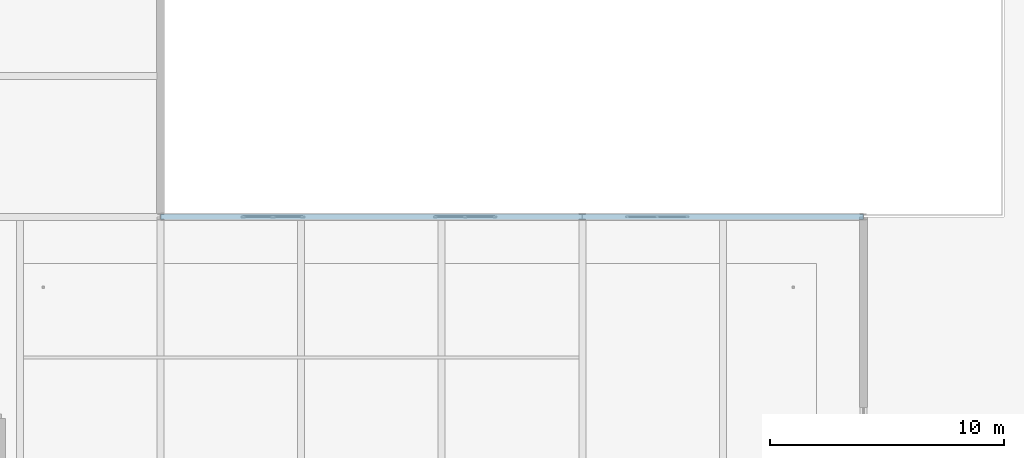
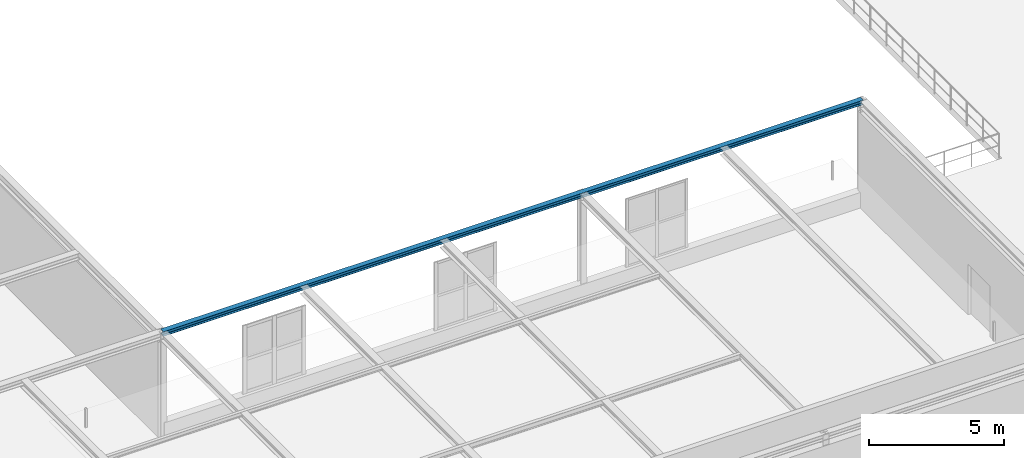
# One storey, part 33 of 97: 1 beam.
"""IFC4 building model written with IfcOpenShell, lengths in metres."""

import ifcopenshell
import ifcopenshell.guid

model = None  # the IFC model being written
_history = None  # IfcOwnerHistory: only IFC2X3 demands one
_inside = {}  # id of a spatial element -> (the spatial element, [elements in it])
_under = {}  # id of a project, library or spatial element -> (it, [spatial elements below it])
_declared = {}  # id of a project -> (the project, [libraries it declares])
_typed = {}  # id of a type object -> (the type object, [elements of that type])
_made_of = {}  # id of a material, layer set ... -> (it, [elements and type objects made of it])


def new_model(schema):
    """Start an empty IFC model of exactly this schema.

    Asked for "IFC4X3", IfcOpenShell would pick the latest addendum, in which some entities
    have other attributes; the version numbers below select the first issue.
    IFC2X3 requires an IfcOwnerHistory on every rooted entity: one is made here for all.
    """
    global model, _history
    if schema == "IFC4X3":
        model = ifcopenshell.file(schema_version=(4, 3, 0, 0))
    else:
        model = ifcopenshell.file(schema=schema)
    _inside.clear()
    _under.clear()
    _declared.clear()
    _typed.clear()
    _made_of.clear()
    _history = None
    if model.schema == "IFC2X3":
        org = make("IfcOrganization", Name="unknown")
        user = make(
            "IfcPersonAndOrganization",
            ThePerson=make("IfcPerson", FamilyName="unknown"),
            TheOrganization=org,
        )
        app = make(
            "IfcApplication",
            ApplicationDeveloper=org,
            Version="unknown",
            ApplicationFullName="unknown",
            ApplicationIdentifier="unknown",
        )
        _history = make(
            "IfcOwnerHistory",
            OwningUser=user,
            OwningApplication=app,
            ChangeAction="ADDED",
            CreationDate=0,
        )
    return model


def make(cls, **values):
    """One entity of the class cls with the attributes given. An attribute that is None is left unset."""
    return model.create_entity(
        cls, **{name: value for name, value in values.items() if value is not None}
    )


def rooted(cls, **values):
    """An entity with a GlobalId (a new one), such as an element, a storey or a relation."""
    return make(cls, GlobalId=ifcopenshell.guid.new(), OwnerHistory=_history, **values)


def si_unit(unit_type, name, prefix=None):
    """IfcSIUnit, for example si_unit("LENGTHUNIT", "METRE", prefix="MILLI")."""
    return make("IfcSIUnit", UnitType=unit_type, Prefix=prefix, Name=name)


def derived_unit(unit_type, elements):
    """IfcDerivedUnit: a product of units, each with its exponent."""
    return make(
        "IfcDerivedUnit",
        Elements=[
            make("IfcDerivedUnitElement", Unit=unit, Exponent=power)
            for unit, power in elements
        ],
        UnitType=unit_type,
    )


def assignment(units):
    """IfcUnitAssignment: the units of a project."""
    return None if units is None else make("IfcUnitAssignment", Units=units)


def point(xyz):
    """IfcCartesianPoint."""
    return None if xyz is None else make("IfcCartesianPoint", Coordinates=xyz)


def direction(xyz):
    """IfcDirection."""
    return None if xyz is None else make("IfcDirection", DirectionRatios=xyz)


def frame(location, z_axis=None, x_axis=None):
    """IfcAxis2Placement3D, a coordinate frame: its origin and axes. An axis left out is left unset."""
    return make(
        "IfcAxis2Placement3D",
        Location=point(location),
        Axis=direction(z_axis),
        RefDirection=direction(x_axis),
    )


def frame_2d(location, x_axis=None):
    """IfcAxis2Placement2D, a coordinate frame in the plane: its origin and x axis."""
    return make(
        "IfcAxis2Placement2D", Location=point(location), RefDirection=direction(x_axis)
    )


def origin():
    """The frame at (0, 0, 0) with its axes left unset."""
    return frame((0.0, 0.0, 0.0))


def origin_2d():
    """The frame at (0, 0) in the plane with its x axis left unset."""
    return frame_2d((0.0, 0.0))


def place(relative_to, where):
    """IfcLocalPlacement: puts the frame where relative to a parent placement (None: the world)."""
    return make(
        "IfcLocalPlacement", PlacementRelTo=relative_to, RelativePlacement=where
    )


def context(
    kind, dimensions, precision=None, world=None, true_north=None, identifier=None
):
    """IfcGeometricRepresentationContext, for example the 3D "Model" context."""
    return make(
        "IfcGeometricRepresentationContext",
        ContextIdentifier=identifier,
        ContextType=kind,
        CoordinateSpaceDimension=dimensions,
        Precision=precision,
        WorldCoordinateSystem=world,
        TrueNorth=true_north,
    )


def subcontext(parent, identifier, kind, view, scale=None):
    """IfcGeometricRepresentationSubContext, for example "Body" below "Model"."""
    return make(
        "IfcGeometricRepresentationSubContext",
        ContextIdentifier=identifier,
        ContextType=kind,
        ParentContext=parent,
        TargetScale=scale,
        TargetView=view,
    )


def project(units=None, contexts=None):
    """IfcProject with its units and contexts."""
    return rooted(
        "IfcProject",
        Name="project",
        RepresentationContexts=contexts,
        UnitsInContext=assignment(units),
    )


def spatial(cls, under=None, at=None, **own):
    """A site, building, storey or space (cls), placed at a placement, below another one or the project."""
    s = rooted(cls, ObjectPlacement=at, **own)
    if under is not None:
        _under.setdefault(under.id(), (under, []))[1].append(s)
    return s


def profile(cls, at=None, kind="AREA", **sizes):
    """A parametric profile (cls). Its sizes go by their IFC names, for example OverallWidth=200.0."""
    return make(cls, ProfileType=kind, Position=at, **sizes)


def i_section(**sizes):
    """IfcIShapeProfileDef."""
    return profile("IfcIShapeProfileDef", **sizes)


def extrude(swept, where, along, depth):
    """IfcExtrudedAreaSolid: the profile swept, set in the frame where, extruded along a direction by depth."""
    return make(
        "IfcExtrudedAreaSolid",
        SweptArea=swept,
        Position=where,
        ExtrudedDirection=direction(along),
        Depth=depth,
    )


def shape(context_of_items, identifier, shape_type, items):
    """IfcShapeRepresentation: the items that make up one representation, for example the "Body"."""
    return make(
        "IfcShapeRepresentation",
        ContextOfItems=context_of_items,
        RepresentationIdentifier=identifier,
        RepresentationType=shape_type,
        Items=items,
    )


def material(Name=None, Category=None):
    """IfcMaterial."""
    return make("IfcMaterial", Name=Name, Category=Category)


def material_profile(
    of_material, cross_section, Name=None, Category=None, Priority=None
):
    """IfcMaterialProfile: a cross section and its material."""
    return make(
        "IfcMaterialProfile",
        Name=Name,
        Material=of_material,
        Profile=cross_section,
        Priority=Priority,
        Category=Category,
    )


def profile_set(profiles, Name=None, composite=None):
    """IfcMaterialProfileSet."""
    return make(
        "IfcMaterialProfileSet",
        Name=Name,
        MaterialProfiles=profiles,
        CompositeProfile=composite,
    )


def made_of(thing, what):
    """Note that an element or type object is made of a material, layer set ...; save() writes the relation."""
    if what is not None:
        _made_of.setdefault(what.id(), (what, []))[1].append(thing)
    return thing


def type_object(cls, material=None, **own):
    """A type object (cls), such as IfcWallType, which elements share."""
    return made_of(rooted(cls, **own), material)


def element(
    cls,
    number,
    at=None,
    inside=None,
    cuts=None,
    type_object=None,
    material=None,
    context=None,
    identifier="Body",
    shape_type=None,
    held_by="IfcProductDefinitionShape",
    body=None,
    shapes=None,
    **own,
):
    """One element of the class cls, such as IfcWall. Its Tag is "e" and its number.

    at: its placement. inside: the storey or other place that contains it. cuts: it is an
    opening in that element (IfcRelVoidsElement). A single representation is given by context,
    identifier, shape_type and body (its items); several are given by shapes. held_by: the class
    of the entity that holds the representations. save() writes the other relations.
    """
    e = rooted(cls, Tag="e%d" % number, ObjectPlacement=at, **own)
    if body is not None:
        shapes = [shape(context, identifier, shape_type, body)]
    if shapes is not None:
        e.Representation = make(held_by, Representations=shapes)
    if inside is not None:
        _inside.setdefault(inside.id(), (inside, []))[1].append(e)
    if cuts is not None:
        rooted(
            "IfcRelVoidsElement", RelatingBuildingElement=cuts, RelatedOpeningElement=e
        )
    if type_object is not None:
        _typed.setdefault(type_object.id(), (type_object, []))[1].append(e)
    return made_of(e, material)


def aggregate(whole, parts):
    """IfcRelAggregates: a whole, such as a stair, and the parts it consists of."""
    return rooted("IfcRelAggregates", RelatingObject=whole, RelatedObjects=parts)


def save(model, path):
    """Write the relations noted so far, then the file.

    IfcRelAggregates (storeys below a building ...), IfcRelContainedInSpatialStructure (elements
    in a storey), IfcRelDefinesByType, IfcRelAssociatesMaterial and IfcRelDeclares: one each for
    every whole, place, type object, material and project.
    """
    for whole, parts in _under.values():
        aggregate(whole, parts)
    for where, things in _inside.values():
        rooted(
            "IfcRelContainedInSpatialStructure",
            RelatedElements=things,
            RelatingStructure=where,
        )
    for kind, things in _typed.values():
        rooted("IfcRelDefinesByType", RelatedObjects=things, RelatingType=kind)
    for what, things in _made_of.values():
        rooted("IfcRelAssociatesMaterial", RelatedObjects=things, RelatingMaterial=what)
    for by, libraries in _declared.values():
        rooted("IfcRelDeclares", RelatingContext=by, RelatedDefinitions=libraries)
    model.write(path)


model = new_model("IFC4")

# Units and contexts
model_context = context("Model", 3, precision=1e-05, world=origin(), true_north=direction((0.0, 1.0)))
body_context = subcontext(model_context, "Body", "Model", "MODEL_VIEW")
ifc_project = project(units=[si_unit("LENGTHUNIT", "METRE"), si_unit("AREAUNIT", "SQUARE_METRE"), si_unit("VOLUMEUNIT", "CUBIC_METRE"), si_unit("PLANEANGLEUNIT", "RADIAN"), si_unit("MASSUNIT", "GRAM", prefix="KILO"), derived_unit("THERMALTRANSMITTANCEUNIT", [(si_unit("POWERUNIT", "WATT"), 1), (si_unit("LENGTHUNIT", "METRE"), -2), (si_unit("THERMODYNAMICTEMPERATUREUNIT", "KELVIN"), -1)])], contexts=[model_context])

# Site, building, storey
site_placement = place(None, origin())
site = spatial("IfcSite", under=ifc_project, at=site_placement, CompositionType="ELEMENT")
building_placement = place(site_placement, origin())
building = spatial("IfcBuilding", under=site, at=building_placement, Name="Almenara Railside Exhibition Hall", CompositionType="ELEMENT")
storey_placement = place(building_placement, frame((0.0, 0.0, 10.800048828125)))
storey = spatial("IfcBuildingStorey", under=building, at=storey_placement, Name="L02", CompositionType="ELEMENT", Elevation=10.800048828125)

# Beam
ifc_material = material(Name="Structural steel S355JR", Category="steel")
ifc_material_profile = material_profile(ifc_material, i_section(OverallWidth=0.219970703125, OverallDepth=0.2099609375, WebThickness=0.007080078125, FlangeThickness=0.010986328125, FilletRadius=0.01806640625, at=origin_2d()), Name="HEA 220")
ifc_profile_set = profile_set([ifc_material_profile], Name="Structural steel S355JR")
beam_type = type_object("IfcBeamType", Name="Steel Terrace Tie Beam HEA 220 S355JR", PredefinedType="BEAM", material=ifc_profile_set)
beam_placement = place(storey_placement, frame((84.0, 54.0, 4.69091796875), z_axis=(1.0, 0.0, 0.0), x_axis=(0.0, 1.0, 0.0)))
element("IfcBeam", 1, at=beam_placement, inside=storey, type_object=beam_type, Name="Beam 0844", PredefinedType="BEAM", context=body_context, shape_type="SweptSolid", body=[
    extrude(i_section(OverallWidth=0.219970703125, OverallDepth=0.2099609375, WebThickness=0.007080078125, FlangeThickness=0.010986328125, FilletRadius=0.01806640625, at=origin_2d()), origin(), (0.0, 0.0, 1.0), 30.0),
])

save(model, "model.ifc")
